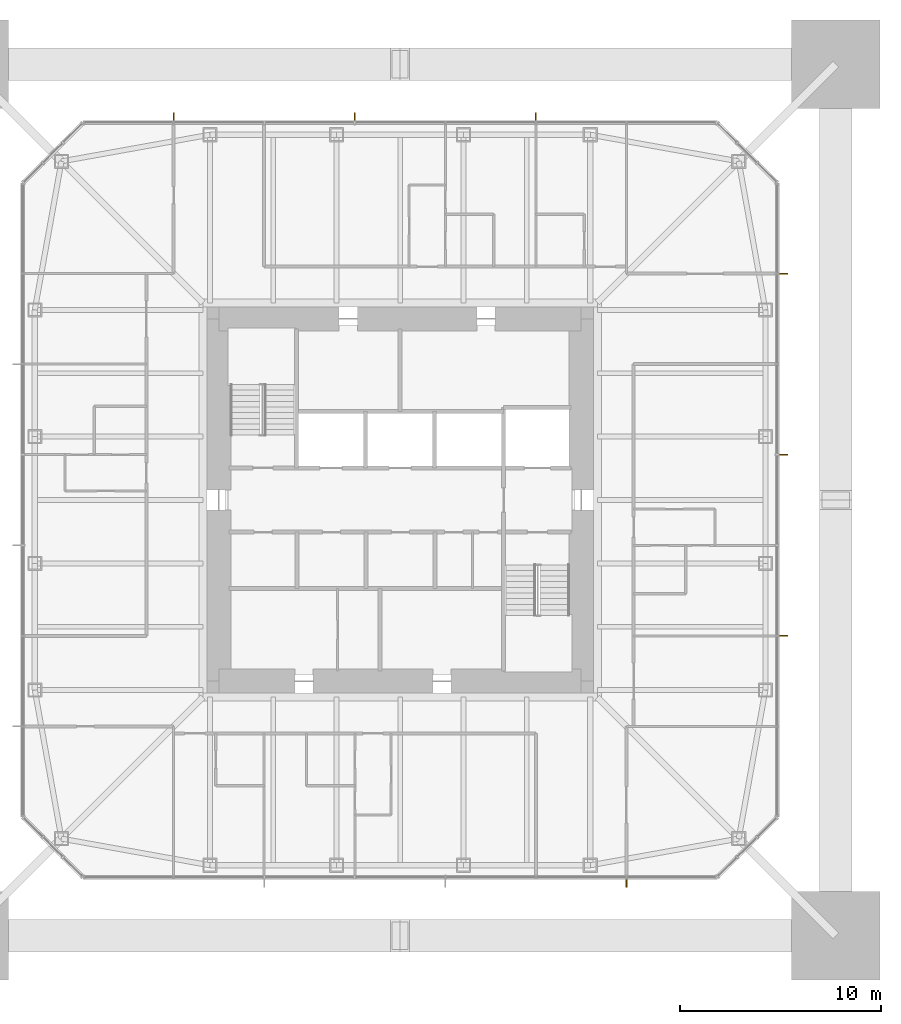
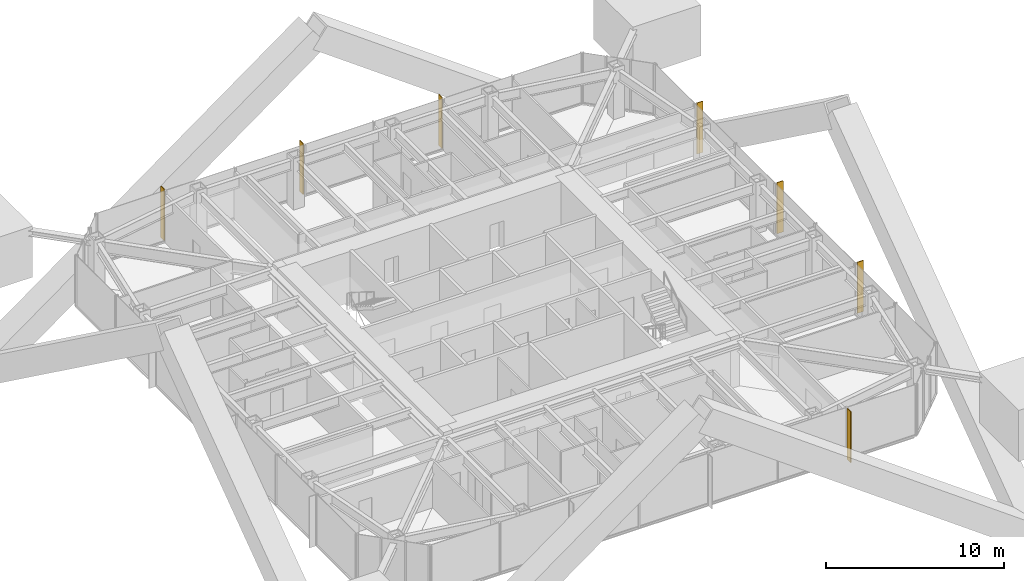
# One storey, part 13 of 13: 7 shading devices.
"""IFC4 building model written with IfcOpenShell, lengths in metres."""

from ifc_helpers import new_model, si_unit, direction, frame, origin, origin_2d, place, context, subcontext, project, spatial, rectangle, extrude, material, layer, layer_set, type_object, element, save


model = new_model("IFC4")

# Units and contexts
model_context = context("Model", 3, precision=1e-05, world=origin(), true_north=direction((0.0, 1.0)))
body_context = subcontext(model_context, "Body", "Model", "MODEL_VIEW")
ifc_project = project(units=[si_unit("LENGTHUNIT", "METRE"), si_unit("AREAUNIT", "SQUARE_METRE"), si_unit("VOLUMEUNIT", "CUBIC_METRE"), si_unit("PLANEANGLEUNIT", "RADIAN"), si_unit("MASSUNIT", "GRAM", prefix="KILO")], contexts=[model_context])

# Site, building, storey
site_placement = place(None, origin())
site = spatial("IfcSite", under=ifc_project, at=site_placement, CompositionType="ELEMENT")
building_placement = place(site_placement, origin())
building = spatial("IfcBuilding", under=site, at=building_placement, Name="Iwan Alto Co-Living Towers", CompositionType="ELEMENT")
storey_placement = place(building_placement, frame((0.0, 0.0, 184.5)))
storey = spatial("IfcBuildingStorey", under=building, at=storey_placement, Name="L50", CompositionType="ELEMENT", Elevation=184.5)

# Shading devices
ifc_material = material(Name="Aluminium 6063-T6 bronze anodised", Category="aluminium")
ifc_layer = layer(ifc_material, 0.050048828125)
ifc_layer_set = layer_set([ifc_layer], Name="BRONZE FIN 50X400")
shading_device_type = type_object("IfcShadingDeviceType", Name="BRONZE FIN 50X400", PredefinedType="USERDEFINED", material=ifc_layer_set)
for number, where, z_axis, x_axis, name in (
    (1, (11.25, -19.050048828125, 0.0), (0.0, 0.0, 1.0), (1.0, 0.0, 0.0), "Bronze fin L50"),
    (2, (19.050048828125, -6.75, 0.0), (0.0, 0.0, 1.0), (0.0, 1.0, 0.0), "Bronze fin L50"),
    (3, (19.050048828125, 2.25, 0.0), (0.0, 0.0, 1.0), (0.0, 1.0, 0.0), "Bronze fin L50"),
    (4, (19.050048828125, 11.25, 0.0), (0.0, 0.0, 1.0), (0.0, 1.0, 0.0), "Bronze fin L50"),
    (5, (6.75, 19.050048828125, 0.0), (0.0, 0.0, 1.0), (-1.0, 0.0, 0.0), "Bronze fin L50"),
    (6, (-2.25, 19.050048828125, 0.0), (0.0, 0.0, 1.0), (-1.0, 0.0, 0.0), "Bronze fin L50"),
    (7, (-11.25, 19.050048828125, 0.0), (0.0, 0.0, 1.0), (-1.0, 0.0, 0.0), "Bronze fin L50"),
):
    element("IfcShadingDevice", number, at=place(storey_placement, frame(where, z_axis=z_axis, x_axis=x_axis)), inside=storey, type_object=shading_device_type, Name=name, ObjectType="LOUVER", PredefinedType="USERDEFINED", context=body_context, shape_type="SweptSolid", body=[
        extrude(rectangle(XDim=0.050048828125, YDim=0.39990234375, at=origin_2d()), origin(), (0.0, 0.0, 1.0), 3.5),
    ])

save(model, "model.ifc")
